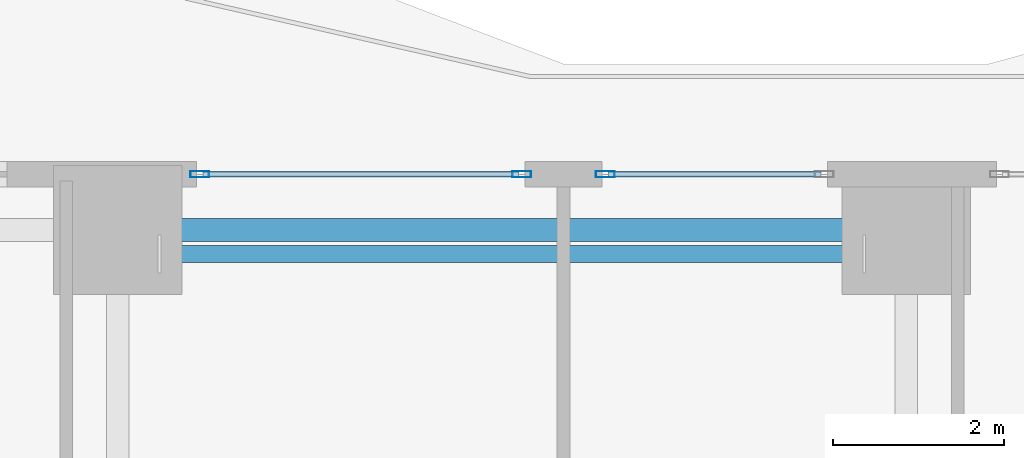
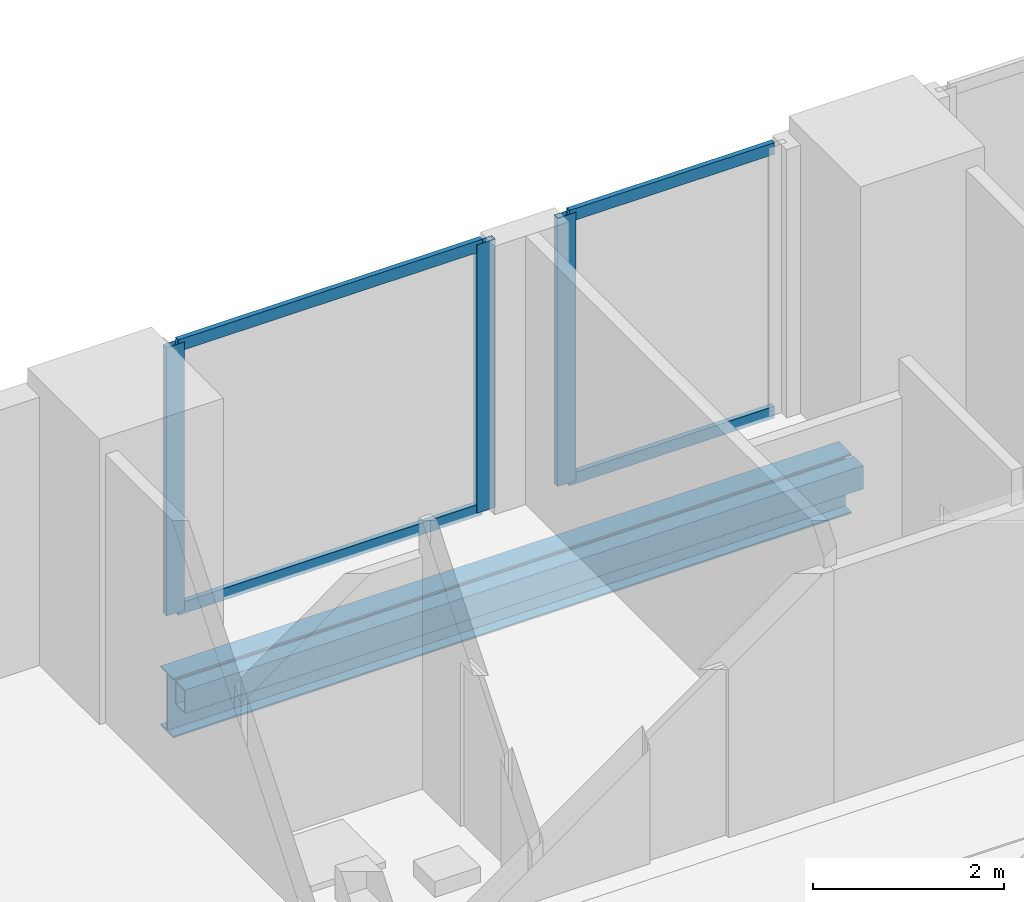
# One storey, part 15 of 30: 7 members, 2 beams, 2 elements without a shape of their own.
"""IFC4 building model written with IfcOpenShell, lengths in metres."""

from ifc_helpers import new_model, si_unit, direction, frame, origin, origin_2d, place, context, subcontext, project, spatial, hollow_rectangle, i_section, extrude, material, layer, layer_set, material_profile, profile_set, type_object, element, aggregate, save


model = new_model("IFC4")

# Units and contexts
model_context = context("Model", 3, precision=1e-05, world=origin(), true_north=direction((0.0, 1.0)))
body_context = subcontext(model_context, "Body", "Model", "MODEL_VIEW")
ifc_project = project(units=[si_unit("LENGTHUNIT", "METRE"), si_unit("AREAUNIT", "SQUARE_METRE"), si_unit("VOLUMEUNIT", "CUBIC_METRE"), si_unit("PLANEANGLEUNIT", "RADIAN"), si_unit("MASSUNIT", "GRAM", prefix="KILO")], contexts=[model_context])

# Site, building, storey
site_placement = place(None, origin())
site = spatial("IfcSite", under=ifc_project, at=site_placement, CompositionType="ELEMENT")
building_placement = place(site_placement, origin())
building = spatial("IfcBuilding", under=site, at=building_placement, Name="Zuhayl Quay Hotel", CompositionType="ELEMENT")
storey_placement = place(building_placement, frame((0.0, 0.0, 27.60009765625)))
storey = spatial("IfcBuildingStorey", under=building, at=storey_placement, Name="L05", CompositionType="ELEMENT", Elevation=27.60009765625)

# Beams
ifc_material_1 = material(Name="Steel ASTM A992 Grade 50", Category="steel")
ifc_material_profile_1 = material_profile(ifc_material_1, i_section(OverallWidth=0.26708984375, OverallDepth=0.761962890625, WebThickness=0.014404296875, FlangeThickness=0.021484375, at=origin_2d()), Name="W30X116")
ifc_profile_set_1 = profile_set([ifc_material_profile_1], Name="Steel ASTM A992 Grade 50")
beam_type_1 = type_object("IfcBeamType", Name="BM_B1_W30X116", PredefinedType="BEAM", material=ifc_profile_set_1)
beam_1_placement = place(storey_placement, frame((13.300048828125, 22.449951171875, -0.60107421875), z_axis=(-1.0, 0.0, 0.0), x_axis=(0.0, -1.0, 0.0)))
element("IfcBeam", 1, at=beam_1_placement, inside=storey, type_object=beam_type_1, Name="L05 Floor Beam RG_L05_07", PredefinedType="BEAM", context=body_context, shape_type="SweptSolid", body=[
    extrude(i_section(OverallWidth=0.26708984375, OverallDepth=0.761962890625, WebThickness=0.014404296875, FlangeThickness=0.021484375, at=origin_2d()), origin(), (0.0, 0.0, 1.0), 8.199951171875),
])
ifc_material_2 = material(Name="Steel ASTM A500 Grade C", Category="steel")
ifc_material_profile_2 = material_profile(ifc_material_2, hollow_rectangle(XDim=0.199951171875, YDim=0.300048828125, WallThickness=0.012451171875, at=origin_2d()), Name="HSS300X200X12")
ifc_profile_set_2 = profile_set([ifc_material_profile_2], Name="Steel ASTM A500 Grade C")
beam_type_2 = type_object("IfcBeamType", Name="BM_SP1_HSS300", PredefinedType="SPANDREL", material=ifc_profile_set_2)
beam_2_placement = place(storey_placement, frame((5.10009765625, 22.169921875, -0.3701171875), z_axis=(1.0, 0.0, 0.0), x_axis=(0.0, 1.0, 0.0)))
element("IfcBeam", 2, at=beam_2_placement, inside=storey, type_object=beam_type_2, Name="L05 Perimeter Spandrel Beam SP1-2", PredefinedType="SPANDREL", context=body_context, shape_type="SweptSolid", body=[
    extrude(hollow_rectangle(XDim=0.199951171875, YDim=0.300048828125, WallThickness=0.012451171875, at=origin_2d()), origin(), (0.0, 0.0, 1.0), 8.199951171875),
])

# Curtain wall, members
ifc_material_3 = material(Name="Anodised Aluminium 6063-T6", Category="aluminium")
ifc_layer = layer(ifc_material_3, 0.18994140625, Name="Anodised Aluminium 6063-T6", Category="aluminium")
ifc_layer_set = layer_set([ifc_layer], Name="Anodised Aluminium 6063-T6")
curtain_wall_type = type_object("IfcCurtainWallType", Name="CW_SYS_Z1", PredefinedType="USERDEFINED", material=ifc_layer_set)
curtain_wall_1_placement = place(storey_placement, origin())
curtain_wall_1 = element("IfcCurtainWall", 3, at=curtain_wall_1_placement, inside=storey, type_object=curtain_wall_type, Name="L05 Curtain Wall ENV_L05_N_CW2", ObjectType="UNITISED CURTAIN WALL", PredefinedType="USERDEFINED")
ifc_material_4 = material(Name="Black-anodised aluminium 6063-T6", Category="aluminium")
ifc_material_profile_3 = material_profile(ifc_material_4, hollow_rectangle(XDim=0.074951171875, YDim=0.219970703125, WallThickness=0.00390625, at=origin_2d()), Name="ALU220X75")
ifc_profile_set_3 = profile_set([ifc_material_profile_3], Name="Black-anodised aluminium 6063-T6")
member_type_1 = type_object("IfcMemberType", Name="MB_CW_MUL_220", PredefinedType="MULLION", material=ifc_profile_set_3)
member_1_placement = place(storey_placement, frame((5.5576171875, 23.10009765625, 0.0), z_axis=(0.0, 0.0, 1.0), x_axis=(0.0, 1.0, 0.0)))
member_1 = element("IfcMember", 4, at=member_1_placement, type_object=member_type_1, Name="CW-Z1 mullion 1", PredefinedType="MULLION", context=body_context, shape_type="SweptSolid", body=[
    extrude(hollow_rectangle(XDim=0.074951171875, YDim=0.219970703125, WallThickness=0.00390625, at=origin_2d()), origin(), (0.0, 0.0, 1.0), 3.429931640625),
])
member_2_placement = place(storey_placement, frame((9.3125, 23.10009765625, 0.0), z_axis=(0.0, 0.0, 1.0), x_axis=(0.0, 1.0, 0.0)))
member_2 = element("IfcMember", 5, at=member_2_placement, type_object=member_type_1, Name="CW-Z1 mullion 2", PredefinedType="MULLION", context=body_context, shape_type="SweptSolid", body=[
    extrude(hollow_rectangle(XDim=0.074951171875, YDim=0.219970703125, WallThickness=0.00390625, at=origin_2d()), origin(), (0.0, 0.0, 1.0), 3.429931640625),
])

# Curtain wall, member
curtain_wall_2_placement = place(storey_placement, origin())
curtain_wall_2 = element("IfcCurtainWall", 6, at=curtain_wall_2_placement, inside=storey, type_object=curtain_wall_type, Name="L05 Curtain Wall ENV_L05_N_CW3", ObjectType="UNITISED CURTAIN WALL", PredefinedType="USERDEFINED")
member_3_placement = place(storey_placement, frame((10.28759765625, 23.10009765625, 0.0), z_axis=(0.0, 0.0, 1.0), x_axis=(0.0, 1.0, 0.0)))
member_3 = element("IfcMember", 7, at=member_3_placement, type_object=member_type_1, Name="CW-Z1 mullion 1", PredefinedType="MULLION", context=body_context, shape_type="SweptSolid", body=[
    extrude(hollow_rectangle(XDim=0.074951171875, YDim=0.219970703125, WallThickness=0.00390625, at=origin_2d()), origin(), (0.0, 0.0, 1.0), 3.429931640625),
])

# Member
ifc_material_profile_4 = material_profile(ifc_material_4, hollow_rectangle(XDim=0.06005859375, YDim=0.14990234375, WallThickness=0.00341796875, at=origin_2d()), Name="ALU150X60")
ifc_profile_set_4 = profile_set([ifc_material_profile_4], Name="Black-anodised aluminium 6063-T6")
member_type_2 = type_object("IfcMemberType", Name="MB_CW_TRN_150", PredefinedType="USERDEFINED", material=ifc_profile_set_4)
member_4_placement = place(storey_placement, frame((5.594970703125, 23.10009765625, 0.02978515625), z_axis=(1.0, 0.0, 0.0), x_axis=(0.0, 1.0, 0.0)))
member_4 = element("IfcMember", 8, at=member_4_placement, type_object=member_type_2, Name="CW-Z1 transom 1.1", ObjectType="TRANSOM", PredefinedType="USERDEFINED", context=body_context, shape_type="SweptSolid", body=[
    extrude(hollow_rectangle(XDim=0.06005859375, YDim=0.14990234375, WallThickness=0.00341796875, at=origin_2d()), origin(), (0.0, 0.0, 1.0), 3.679931640625),
])

member_5_placement = place(storey_placement, frame((5.594970703125, 23.10009765625, 3.39990234375), z_axis=(1.0, 0.0, 0.0), x_axis=(0.0, 1.0, 0.0)))
member_5 = element("IfcMember", 9, at=member_5_placement, type_object=member_type_2, Name="CW-Z1 transom 1.2", ObjectType="TRANSOM", PredefinedType="USERDEFINED", context=body_context, shape_type="SweptSolid", body=[
    extrude(hollow_rectangle(XDim=0.06005859375, YDim=0.14990234375, WallThickness=0.00341796875, at=origin_2d()), origin(), (0.0, 0.0, 1.0), 3.679931640625),
])

aggregate(curtain_wall_1, [member_1, member_2, member_4, member_5])

member_6_placement = place(storey_placement, frame((10.324951171875, 23.10009765625, 0.02978515625), z_axis=(1.0, 0.0, 0.0), x_axis=(0.0, 1.0, 0.0)))
member_6 = element("IfcMember", 10, at=member_6_placement, type_object=member_type_2, Name="CW-Z1 transom 1.1", ObjectType="TRANSOM", PredefinedType="USERDEFINED", context=body_context, shape_type="SweptSolid", body=[
    extrude(hollow_rectangle(XDim=0.06005859375, YDim=0.14990234375, WallThickness=0.00341796875, at=origin_2d()), origin(), (0.0, 0.0, 1.0), 2.47998046875),
])

member_7_placement = place(storey_placement, frame((10.324951171875, 23.10009765625, 3.39990234375), z_axis=(1.0, 0.0, 0.0), x_axis=(0.0, 1.0, 0.0)))
member_7 = element("IfcMember", 11, at=member_7_placement, type_object=member_type_2, Name="CW-Z1 transom 1.2", ObjectType="TRANSOM", PredefinedType="USERDEFINED", context=body_context, shape_type="SweptSolid", body=[
    extrude(hollow_rectangle(XDim=0.06005859375, YDim=0.14990234375, WallThickness=0.00341796875, at=origin_2d()), origin(), (0.0, 0.0, 1.0), 2.47998046875),
])

aggregate(curtain_wall_2, [member_3, member_6, member_7])

save(model, "model.ifc")
